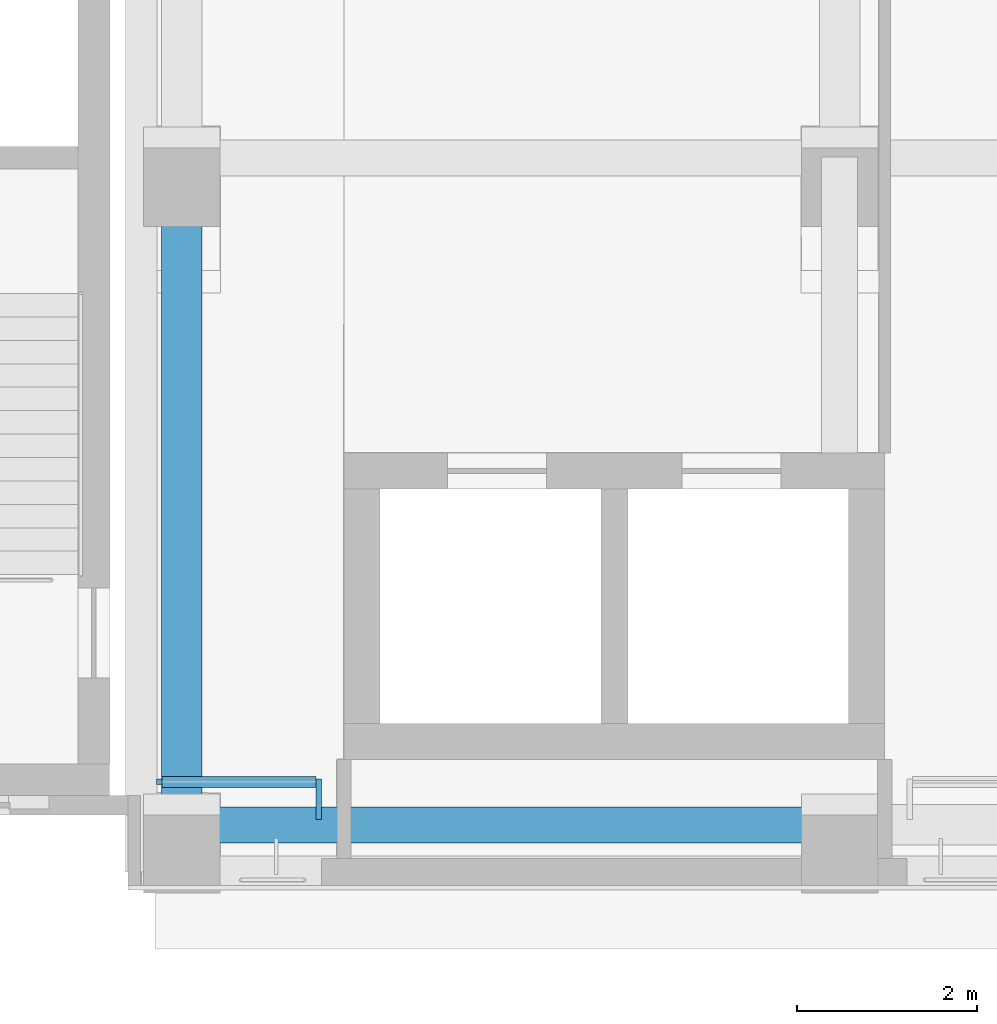
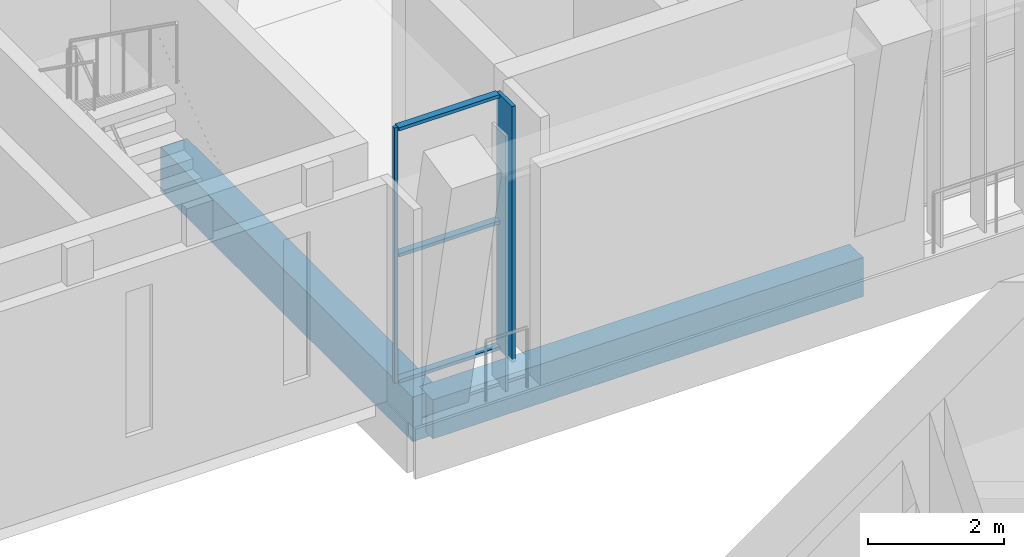
# One storey, part 6 of 92: 5 members, 2 beams, 1 element without a shape of its own.
"""IFC4 building model written with IfcOpenShell, lengths in metres."""

import ifcopenshell
import ifcopenshell.guid

model = None  # the IFC model being written
_history = None  # IfcOwnerHistory: only IFC2X3 demands one
_inside = {}  # id of a spatial element -> (the spatial element, [elements in it])
_under = {}  # id of a project, library or spatial element -> (it, [spatial elements below it])
_declared = {}  # id of a project -> (the project, [libraries it declares])
_typed = {}  # id of a type object -> (the type object, [elements of that type])
_made_of = {}  # id of a material, layer set ... -> (it, [elements and type objects made of it])


def new_model(schema):
    """Start an empty IFC model of exactly this schema.

    Asked for "IFC4X3", IfcOpenShell would pick the latest addendum, in which some entities
    have other attributes; the version numbers below select the first issue.
    IFC2X3 requires an IfcOwnerHistory on every rooted entity: one is made here for all.
    """
    global model, _history
    if schema == "IFC4X3":
        model = ifcopenshell.file(schema_version=(4, 3, 0, 0))
    else:
        model = ifcopenshell.file(schema=schema)
    _inside.clear()
    _under.clear()
    _declared.clear()
    _typed.clear()
    _made_of.clear()
    _history = None
    if model.schema == "IFC2X3":
        org = make("IfcOrganization", Name="unknown")
        user = make(
            "IfcPersonAndOrganization",
            ThePerson=make("IfcPerson", FamilyName="unknown"),
            TheOrganization=org,
        )
        app = make(
            "IfcApplication",
            ApplicationDeveloper=org,
            Version="unknown",
            ApplicationFullName="unknown",
            ApplicationIdentifier="unknown",
        )
        _history = make(
            "IfcOwnerHistory",
            OwningUser=user,
            OwningApplication=app,
            ChangeAction="ADDED",
            CreationDate=0,
        )
    return model


def make(cls, **values):
    """One entity of the class cls with the attributes given. An attribute that is None is left unset."""
    return model.create_entity(
        cls, **{name: value for name, value in values.items() if value is not None}
    )


def rooted(cls, **values):
    """An entity with a GlobalId (a new one), such as an element, a storey or a relation."""
    return make(cls, GlobalId=ifcopenshell.guid.new(), OwnerHistory=_history, **values)


def si_unit(unit_type, name, prefix=None):
    """IfcSIUnit, for example si_unit("LENGTHUNIT", "METRE", prefix="MILLI")."""
    return make("IfcSIUnit", UnitType=unit_type, Prefix=prefix, Name=name)


def assignment(units):
    """IfcUnitAssignment: the units of a project."""
    return None if units is None else make("IfcUnitAssignment", Units=units)


def point(xyz):
    """IfcCartesianPoint."""
    return None if xyz is None else make("IfcCartesianPoint", Coordinates=xyz)


def direction(xyz):
    """IfcDirection."""
    return None if xyz is None else make("IfcDirection", DirectionRatios=xyz)


def frame(location, z_axis=None, x_axis=None):
    """IfcAxis2Placement3D, a coordinate frame: its origin and axes. An axis left out is left unset."""
    return make(
        "IfcAxis2Placement3D",
        Location=point(location),
        Axis=direction(z_axis),
        RefDirection=direction(x_axis),
    )


def frame_2d(location, x_axis=None):
    """IfcAxis2Placement2D, a coordinate frame in the plane: its origin and x axis."""
    return make(
        "IfcAxis2Placement2D", Location=point(location), RefDirection=direction(x_axis)
    )


def origin():
    """The frame at (0, 0, 0) with its axes left unset."""
    return frame((0.0, 0.0, 0.0))


def origin_2d():
    """The frame at (0, 0) in the plane with its x axis left unset."""
    return frame_2d((0.0, 0.0))


def place(relative_to, where):
    """IfcLocalPlacement: puts the frame where relative to a parent placement (None: the world)."""
    return make(
        "IfcLocalPlacement", PlacementRelTo=relative_to, RelativePlacement=where
    )


def context(
    kind, dimensions, precision=None, world=None, true_north=None, identifier=None
):
    """IfcGeometricRepresentationContext, for example the 3D "Model" context."""
    return make(
        "IfcGeometricRepresentationContext",
        ContextIdentifier=identifier,
        ContextType=kind,
        CoordinateSpaceDimension=dimensions,
        Precision=precision,
        WorldCoordinateSystem=world,
        TrueNorth=true_north,
    )


def subcontext(parent, identifier, kind, view, scale=None):
    """IfcGeometricRepresentationSubContext, for example "Body" below "Model"."""
    return make(
        "IfcGeometricRepresentationSubContext",
        ContextIdentifier=identifier,
        ContextType=kind,
        ParentContext=parent,
        TargetScale=scale,
        TargetView=view,
    )


def project(units=None, contexts=None):
    """IfcProject with its units and contexts."""
    return rooted(
        "IfcProject",
        Name="project",
        RepresentationContexts=contexts,
        UnitsInContext=assignment(units),
    )


def spatial(cls, under=None, at=None, **own):
    """A site, building, storey or space (cls), placed at a placement, below another one or the project."""
    s = rooted(cls, ObjectPlacement=at, **own)
    if under is not None:
        _under.setdefault(under.id(), (under, []))[1].append(s)
    return s


def profile(cls, at=None, kind="AREA", **sizes):
    """A parametric profile (cls). Its sizes go by their IFC names, for example OverallWidth=200.0."""
    return make(cls, ProfileType=kind, Position=at, **sizes)


def rectangle(**sizes):
    """IfcRectangleProfileDef."""
    return profile("IfcRectangleProfileDef", **sizes)


def extrude(swept, where, along, depth):
    """IfcExtrudedAreaSolid: the profile swept, set in the frame where, extruded along a direction by depth."""
    return make(
        "IfcExtrudedAreaSolid",
        SweptArea=swept,
        Position=where,
        ExtrudedDirection=direction(along),
        Depth=depth,
    )


def shape(context_of_items, identifier, shape_type, items):
    """IfcShapeRepresentation: the items that make up one representation, for example the "Body"."""
    return make(
        "IfcShapeRepresentation",
        ContextOfItems=context_of_items,
        RepresentationIdentifier=identifier,
        RepresentationType=shape_type,
        Items=items,
    )


def material(Name=None, Category=None):
    """IfcMaterial."""
    return make("IfcMaterial", Name=Name, Category=Category)


def material_profile(
    of_material, cross_section, Name=None, Category=None, Priority=None
):
    """IfcMaterialProfile: a cross section and its material."""
    return make(
        "IfcMaterialProfile",
        Name=Name,
        Material=of_material,
        Profile=cross_section,
        Priority=Priority,
        Category=Category,
    )


def profile_set(profiles, Name=None, composite=None):
    """IfcMaterialProfileSet."""
    return make(
        "IfcMaterialProfileSet",
        Name=Name,
        MaterialProfiles=profiles,
        CompositeProfile=composite,
    )


def made_of(thing, what):
    """Note that an element or type object is made of a material, layer set ...; save() writes the relation."""
    if what is not None:
        _made_of.setdefault(what.id(), (what, []))[1].append(thing)
    return thing


def type_object(cls, material=None, **own):
    """A type object (cls), such as IfcWallType, which elements share."""
    return made_of(rooted(cls, **own), material)


def element(
    cls,
    number,
    at=None,
    inside=None,
    cuts=None,
    type_object=None,
    material=None,
    context=None,
    identifier="Body",
    shape_type=None,
    held_by="IfcProductDefinitionShape",
    body=None,
    shapes=None,
    **own,
):
    """One element of the class cls, such as IfcWall. Its Tag is "e" and its number.

    at: its placement. inside: the storey or other place that contains it. cuts: it is an
    opening in that element (IfcRelVoidsElement). A single representation is given by context,
    identifier, shape_type and body (its items); several are given by shapes. held_by: the class
    of the entity that holds the representations. save() writes the other relations.
    """
    e = rooted(cls, Tag="e%d" % number, ObjectPlacement=at, **own)
    if body is not None:
        shapes = [shape(context, identifier, shape_type, body)]
    if shapes is not None:
        e.Representation = make(held_by, Representations=shapes)
    if inside is not None:
        _inside.setdefault(inside.id(), (inside, []))[1].append(e)
    if cuts is not None:
        rooted(
            "IfcRelVoidsElement", RelatingBuildingElement=cuts, RelatedOpeningElement=e
        )
    if type_object is not None:
        _typed.setdefault(type_object.id(), (type_object, []))[1].append(e)
    return made_of(e, material)


def aggregate(whole, parts):
    """IfcRelAggregates: a whole, such as a stair, and the parts it consists of."""
    return rooted("IfcRelAggregates", RelatingObject=whole, RelatedObjects=parts)


def save(model, path):
    """Write the relations noted so far, then the file.

    IfcRelAggregates (storeys below a building ...), IfcRelContainedInSpatialStructure (elements
    in a storey), IfcRelDefinesByType, IfcRelAssociatesMaterial and IfcRelDeclares: one each for
    every whole, place, type object, material and project.
    """
    for whole, parts in _under.values():
        aggregate(whole, parts)
    for where, things in _inside.values():
        rooted(
            "IfcRelContainedInSpatialStructure",
            RelatedElements=things,
            RelatingStructure=where,
        )
    for kind, things in _typed.values():
        rooted("IfcRelDefinesByType", RelatedObjects=things, RelatingType=kind)
    for what, things in _made_of.values():
        rooted("IfcRelAssociatesMaterial", RelatedObjects=things, RelatingMaterial=what)
    for by, libraries in _declared.values():
        rooted("IfcRelDeclares", RelatingContext=by, RelatedDefinitions=libraries)
    model.write(path)


model = new_model("IFC4")

# Units and contexts
model_context = context("Model", 3, precision=1e-05, world=origin(), true_north=direction((0.0, 1.0)))
body_context = subcontext(model_context, "Body", "Model", "MODEL_VIEW")
ifc_project = project(units=[si_unit("LENGTHUNIT", "METRE"), si_unit("AREAUNIT", "SQUARE_METRE"), si_unit("VOLUMEUNIT", "CUBIC_METRE"), si_unit("PLANEANGLEUNIT", "RADIAN"), si_unit("MASSUNIT", "GRAM", prefix="KILO")], contexts=[model_context])

# Site, building, storey
site_placement = place(None, origin())
site = spatial("IfcSite", under=ifc_project, at=site_placement, CompositionType="ELEMENT")
building_placement = place(site_placement, origin())
building = spatial("IfcBuilding", under=site, at=building_placement, Name="Lantern Court Media Centre", CompositionType="ELEMENT")
storey_placement = place(building_placement, frame((0.0, 0.0, 4.800048828125)))
storey = spatial("IfcBuildingStorey", under=building, at=storey_placement, Name="L01", CompositionType="ELEMENT", Elevation=4.800048828125)

# Curtain wall, members
ifc_material_1 = material(Name="Curtain wall bay 3000")
curtain_wall_type = type_object("IfcCurtainWallType", Name="Curtain wall bay 3000", PredefinedType="NOTDEFINED", material=ifc_material_1)
curtain_wall_placement = place(storey_placement, origin())
curtain_wall = element("IfcCurtainWall", 1, at=curtain_wall_placement, inside=storey, type_object=curtain_wall_type, Name="Curtain wall S outer L01", PredefinedType="NOTDEFINED")
ifc_material_2 = material(Name="Anodised aluminium", Category="aluminium")
ifc_material_profile_1 = material_profile(ifc_material_2, rectangle(XDim=0.449951171875, YDim=0.06005859375, at=origin_2d()), Name="AL 60x450")
ifc_profile_set_1 = profile_set([ifc_material_profile_1], Name="Anodised aluminium")
member_type_1 = type_object("IfcMemberType", Name="Curtain wall mullion 60x450", PredefinedType="MULLION", material=ifc_profile_set_1)
member_1_placement = place(storey_placement, frame((26.219970703125, 47.955078125, 0.0), z_axis=(0.0, 0.0, 1.0), x_axis=(0.0, 1.0, 0.0)))
member_1 = element("IfcMember", 2, at=member_1_placement, type_object=member_type_1, Name="CW1 mullion 2", PredefinedType="MULLION", context=body_context, shape_type="SweptSolid", body=[
    extrude(rectangle(XDim=0.449951171875, YDim=0.06005859375, at=origin_2d()), origin(), (0.0, 0.0, 1.0), 4.579833984375),
])
ifc_material_profile_2 = material_profile(ifc_material_2, rectangle(XDim=0.06005859375, YDim=0.06005859375, at=origin_2d()), Name="AL 60x60")
ifc_profile_set_2 = profile_set([ifc_material_profile_2], Name="Anodised aluminium")
member_type_2 = type_object("IfcMemberType", Name="Curtain wall mullion 60x60", PredefinedType="MULLION", material=ifc_profile_set_2)
member_2_placement = place(storey_placement, frame((24.449951171875, 48.14990234375, 0.0), z_axis=(0.0, 0.0, 1.0), x_axis=(0.0, 1.0, 0.0)))
member_2 = element("IfcMember", 3, at=member_2_placement, type_object=member_type_2, Name="CW1 mullion 1", PredefinedType="MULLION", context=body_context, shape_type="SweptSolid", body=[
    extrude(rectangle(XDim=0.06005859375, YDim=0.06005859375, at=origin_2d()), origin(), (0.0, 0.0, 1.0), 4.579833984375),
])
ifc_material_profile_3 = material_profile(ifc_material_2, rectangle(XDim=0.1201171875, YDim=0.06005859375, at=origin_2d()), Name="AL 60x120")
ifc_profile_set_3 = profile_set([ifc_material_profile_3], Name="Anodised aluminium")
member_type_3 = type_object("IfcMemberType", Name="Curtain wall transom 60x120", PredefinedType="USERDEFINED", material=ifc_profile_set_3)
member_3_placement = place(storey_placement, frame((24.47998046875, 48.14990234375, 0.030029296875), z_axis=(1.0, 0.0, 0.0), x_axis=(0.0, 1.0, 0.0)))
member_3 = element("IfcMember", 4, at=member_3_placement, type_object=member_type_3, Name="CW1 transom 1.1", ObjectType="TRANSOM", PredefinedType="USERDEFINED", context=body_context, shape_type="SweptSolid", body=[
    extrude(rectangle(XDim=0.1201171875, YDim=0.06005859375, at=origin_2d()), origin(), (0.0, 0.0, 1.0), 1.7099609375),
])
member_4_placement = place(storey_placement, frame((24.47998046875, 48.14990234375, 2.2900390625), z_axis=(1.0, 0.0, 0.0), x_axis=(0.0, 1.0, 0.0)))
member_4 = element("IfcMember", 5, at=member_4_placement, type_object=member_type_3, Name="CW1 transom 1.2", ObjectType="TRANSOM", PredefinedType="USERDEFINED", context=body_context, shape_type="SweptSolid", body=[
    extrude(rectangle(XDim=0.1201171875, YDim=0.06005859375, at=origin_2d()), origin(), (0.0, 0.0, 1.0), 1.7099609375),
])
member_5_placement = place(storey_placement, frame((24.47998046875, 48.14990234375, 4.550048828125), z_axis=(1.0, 0.0, 0.0), x_axis=(0.0, 1.0, 0.0)))
member_5 = element("IfcMember", 6, at=member_5_placement, type_object=member_type_3, Name="CW1 transom 1.3", ObjectType="TRANSOM", PredefinedType="USERDEFINED", context=body_context, shape_type="SweptSolid", body=[
    extrude(rectangle(XDim=0.1201171875, YDim=0.06005859375, at=origin_2d()), origin(), (0.0, 0.0, 1.0), 1.7099609375),
])
aggregate(curtain_wall, [member_2, member_1, member_3, member_4, member_5])

# Beams
ifc_material_3 = material(Name="Concrete C35", Category="concrete")
ifc_material_profile_4 = material_profile(ifc_material_3, rectangle(XDim=0.39990234375, YDim=0.699951171875, at=origin_2d()), Name="RC 400x700")
ifc_profile_set_4 = profile_set([ifc_material_profile_4], Name="Concrete C35")
beam_type_1 = type_object("IfcBeamType", Name="RC BEAM 400x700", PredefinedType="BEAM", material=ifc_profile_set_4)
beam_1_placement = place(storey_placement, frame((24.699951171875, 47.6728515625, -0.35009765625), z_axis=(1.0, 0.0, 0.0), x_axis=(0.0, 1.0, 0.0)))
element("IfcBeam", 7, at=beam_1_placement, inside=storey, type_object=beam_type_1, Name="LB-S-L01-0-0", PredefinedType="BEAM", context=body_context, shape_type="SweptSolid", body=[
    extrude(rectangle(XDim=0.39990234375, YDim=0.699951171875, at=origin_2d()), origin(), (0.0, 0.0, 1.0), 7.300048828125),
])
ifc_material_profile_5 = material_profile(ifc_material_3, rectangle(XDim=0.449951171875, YDim=0.800048828125, at=origin_2d()), Name="RC 450x800")
ifc_profile_set_5 = profile_set([ifc_material_profile_5], Name="Concrete C35")
beam_type_2 = type_object("IfcBeamType", Name="RC BEAM 450x800", PredefinedType="BEAM", material=ifc_profile_set_5)
beam_2_placement = place(storey_placement, frame((24.699951171875, 47.683349609375, -0.400146484375), z_axis=(0.0, 1.0, 0.0), x_axis=(-1.0, 0.0, 0.0)))
element("IfcBeam", 8, at=beam_2_placement, inside=storey, type_object=beam_type_2, Name="TB-S-L01-0-1", PredefinedType="BEAM", context=body_context, shape_type="SweptSolid", body=[
    extrude(rectangle(XDim=0.449951171875, YDim=0.800048828125, at=origin_2d()), origin(), (0.0, 0.0, 1.0), 7.39990234375),
])

save(model, "model.ifc")
